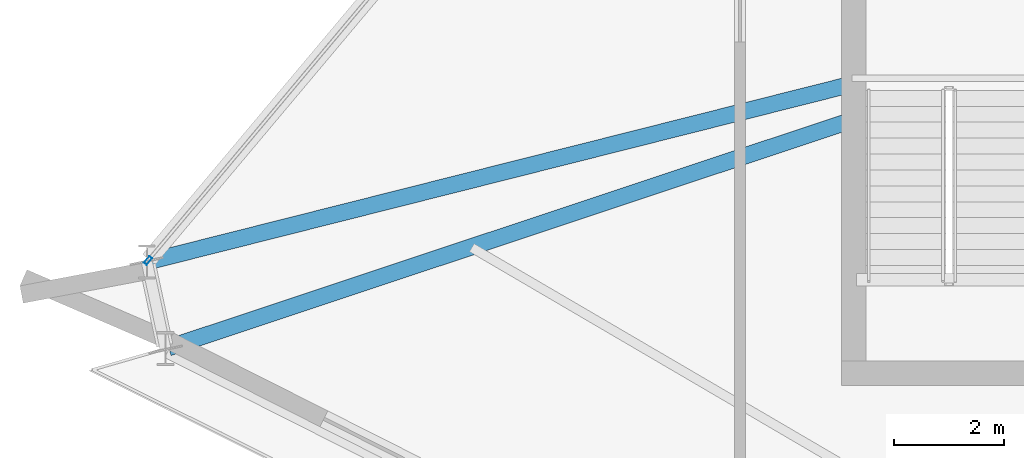
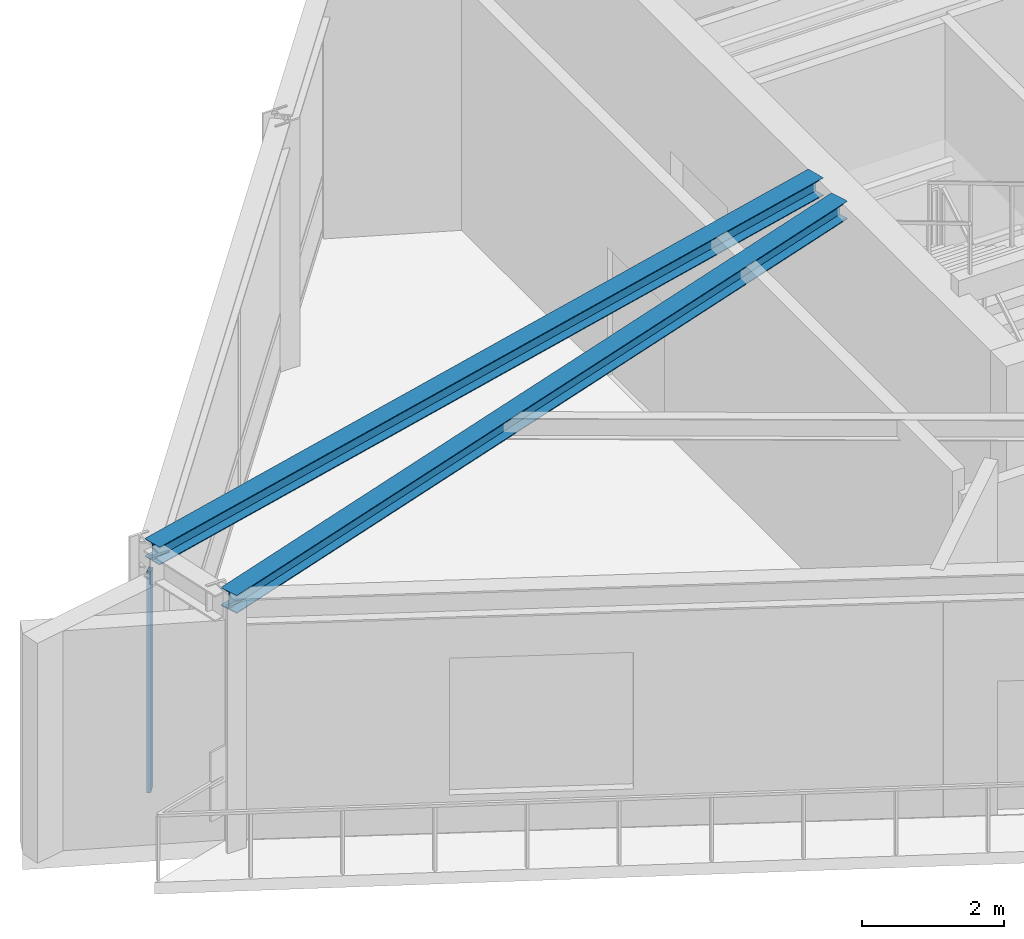
# One storey, part 2 of 23: 2 beams, 1 member, 1 element without a shape of its own.
"""IFC4 building model written with IfcOpenShell, lengths in metres."""

from ifc_helpers import new_model, si_unit, direction, frame, origin, origin_2d, place, context, subcontext, project, spatial, hollow_rectangle, i_section, extrude, source, transform, mapped, material, material_profile, profile_set, type_object, element, aggregate, save


model = new_model("IFC4")

# Units and contexts
model_context = context("Model", 3, precision=1e-05, world=origin(), true_north=direction((0.0, 1.0)))
body_context = subcontext(model_context, "Body", "Model", "MODEL_VIEW")
ifc_project = project(units=[si_unit("LENGTHUNIT", "METRE"), si_unit("AREAUNIT", "SQUARE_METRE"), si_unit("VOLUMEUNIT", "CUBIC_METRE"), si_unit("PLANEANGLEUNIT", "RADIAN"), si_unit("MASSUNIT", "GRAM", prefix="KILO")], contexts=[model_context])

# Site, building, storey
site_placement = place(None, origin())
site = spatial("IfcSite", under=ifc_project, at=site_placement, CompositionType="ELEMENT")
building_placement = place(site_placement, origin())
building = spatial("IfcBuilding", under=site, at=building_placement, Name="Olszyna Solenne Hotel", CompositionType="ELEMENT")
storey_placement = place(building_placement, frame((0.0, 0.0, 290.5)))
storey = spatial("IfcBuildingStorey", under=building, at=storey_placement, Name="L77", CompositionType="ELEMENT", Elevation=290.5)

# Beams
ifc_material_1 = material(Name="Steel S355J2", Category="steel")
ifc_material_profile_1 = material_profile(ifc_material_1, i_section(OverallWidth=0.300048828125, OverallDepth=0.31005859375, WebThickness=0.009033203125, FlangeThickness=0.015380859375, at=origin_2d()), Name="HEA 320", Category="load-bearing")
ifc_profile_set_1 = profile_set([ifc_material_profile_1], Name="Steel S355J2")
beam_type = type_object("IfcBeamType", Name="BM-G3", PredefinedType="BEAM", material=ifc_profile_set_1)
shared_shape_1 = source(origin(), body_context, "Body", "SweptSolid", [
    extrude(i_section(OverallWidth=0.300048828125, OverallDepth=0.31005859375, WebThickness=0.009033203125, FlangeThickness=0.015380859375, at=origin_2d()), origin(), (0.0, 0.0, 1.0), 13.037353515625),
])
beam_1_placement = place(storey_placement, frame((17.056884765625, 21.31884765625, 4.0849609375), z_axis=(0.969646999234, 0.244509093646, 0.0), x_axis=(-0.244509093646, 0.969646999234, 0.0)))
element("IfcBeam", 1, at=beam_1_placement, inside=storey, type_object=beam_type, Name="Radial floor girder BM-G3 B-L77-2267", PredefinedType="BEAM", context=body_context, shape_type="MappedRepresentation", body=[
    mapped(shared_shape_1, transform((0.0, 0.0, 0.0), x_axis=(1.0, 0.0, 0.0), y_axis=(0.0, 1.0, 0.0), z_axis=(0.0, 0.0, 1.0), scale=1.0)),
])
shared_shape_2 = source(origin(), body_context, "Body", "SweptSolid", [
    extrude(i_section(OverallWidth=0.300048828125, OverallDepth=0.31005859375, WebThickness=0.009033203125, FlangeThickness=0.015380859375, at=origin_2d()), origin(), (0.0, 0.0, 1.0), 12.96630859375),
])
beam_2_placement = place(storey_placement, frame((17.394287109375, 19.74365234375, 4.0849609375), z_axis=(0.94885261998, 0.315719346188, 0.0), x_axis=(-0.315719346188, 0.94885261998, 0.0)))
element("IfcBeam", 2, at=beam_2_placement, inside=storey, type_object=beam_type, Name="Radial floor girder BM-G3 B-L77-2268", PredefinedType="BEAM", context=body_context, shape_type="MappedRepresentation", body=[
    mapped(shared_shape_2, transform((0.0, 0.0, 0.0), x_axis=(1.0, 0.0, 0.0), y_axis=(0.0, 1.0, 0.0), z_axis=(0.0, 0.0, 1.0), scale=1.0)),
])

# Curtain wall, member
ifc_material_2 = material(Name="Anodised bronze aluminium", Category="aluminium")
curtain_wall_type = type_object("IfcCurtainWallType", Name="CW-SYS-7", PredefinedType="NOTDEFINED", material=ifc_material_2)
curtain_wall_placement = place(storey_placement, origin())
curtain_wall = element("IfcCurtainWall", 3, at=curtain_wall_placement, inside=storey, type_object=curtain_wall_type, Name="Unitised curtain wall CW-SYS-7 CW-L77-02", PredefinedType="NOTDEFINED")
ifc_material_profile_2 = material_profile(ifc_material_2, hollow_rectangle(XDim=0.06494140625, YDim=0.159912109375, WallThickness=0.00390625, at=origin_2d()), Name="MULL 160x65x4", Category="load-bearing")
ifc_profile_set_2 = profile_set([ifc_material_profile_2], Name="Anodised bronze aluminium")
member_type = type_object("IfcMemberType", Name="CW-M3", PredefinedType="MULLION", material=ifc_profile_set_2)
shared_shape_3 = source(origin(), body_context, "Body", "SweptSolid", [
    extrude(hollow_rectangle(XDim=0.06494140625, YDim=0.159912109375, WallThickness=0.00390625, at=origin_2d()), origin(), (0.0, 0.0, 1.0), 3.781982421875),
])
member_placement = place(storey_placement, frame((17.019775390625, 21.3291015625, 0.0), z_axis=(0.0, 0.0, 1.0), x_axis=(-0.765808018245, 0.643069264692, 0.0)))
member = element("IfcMember", 4, at=member_placement, type_object=member_type, Name="Curtain-wall mullion CW-M3 CM-L77-02-01", PredefinedType="MULLION", context=body_context, shape_type="MappedRepresentation", body=[
    mapped(shared_shape_3, transform((0.0, 0.0, 0.0), x_axis=(1.0, 0.0, 0.0), y_axis=(0.0, 1.0, 0.0), z_axis=(0.0, 0.0, 1.0), scale=1.0)),
])
aggregate(curtain_wall, [member])

save(model, "model.ifc")
